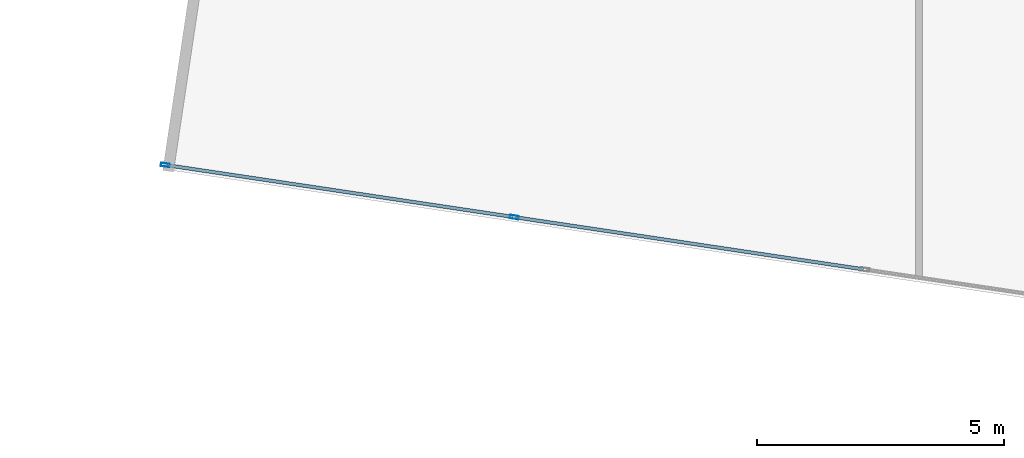
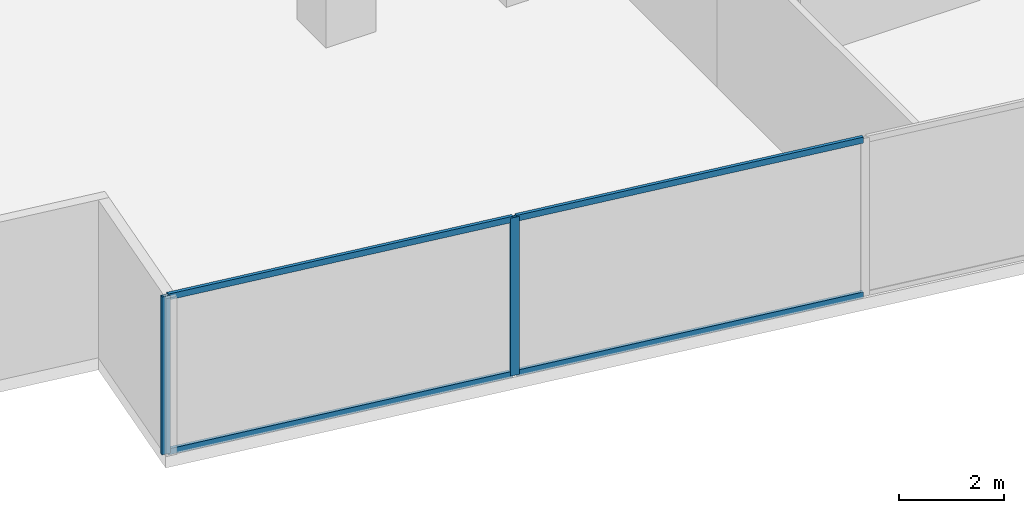
# One storey, part 2 of 29: 6 members, 1 element without a shape of its own.
"""IFC4 building model written with IfcOpenShell, lengths in metres."""

from ifc_helpers import new_model, si_unit, direction, frame, origin, origin_2d, place, context, subcontext, project, spatial, hollow_rectangle, extrude, source, transform, mapped, material, material_profile, profile_set, type_object, type_shapes, element, aggregate, save


model = new_model("IFC4")

# Units and contexts
model_context = context("Model", 3, precision=1e-05, world=origin(), true_north=direction((0.0, 1.0)))
body_context = subcontext(model_context, "Body", "Model", "MODEL_VIEW")
ifc_project = project(units=[si_unit("LENGTHUNIT", "METRE"), si_unit("AREAUNIT", "SQUARE_METRE"), si_unit("VOLUMEUNIT", "CUBIC_METRE"), si_unit("PLANEANGLEUNIT", "RADIAN"), si_unit("MASSUNIT", "GRAM", prefix="KILO")], contexts=[model_context])

# Site, building, storey
site_placement = place(None, origin())
site = spatial("IfcSite", under=ifc_project, at=site_placement, CompositionType="ELEMENT")
building_placement = place(site_placement, origin())
building = spatial("IfcBuilding", under=site, at=building_placement, Name="Krantzveldt Concourse Tower", CompositionType="ELEMENT")
storey_placement = place(building_placement, frame((0.0, 0.0, 72.39990234375)))
storey = spatial("IfcBuildingStorey", under=building, at=storey_placement, Name="L17", CompositionType="ELEMENT", Elevation=72.39990234375)

# Curtain wall, members
ifc_material = material(Name="Anodised aluminium 6063-T6", Category="aluminium")
curtain_wall_type = type_object("IfcCurtainWallType", Name="CW2", PredefinedType="USERDEFINED", material=ifc_material)
curtain_wall_placement = place(storey_placement, origin())
curtain_wall = element("IfcCurtainWall", 1, at=curtain_wall_placement, inside=storey, type_object=curtain_wall_type, Name="CW-L17-F04", ObjectType="UNITISED CURTAIN WALL", PredefinedType="USERDEFINED")
ifc_material_profile_1 = material_profile(ifc_material, hollow_rectangle(XDim=0.070068359375, YDim=0.139892578125, WallThickness=0.0048828125, at=origin_2d()), Name="Anodised aluminium 6063-T6", Category="aluminium")
ifc_profile_set_1 = profile_set([ifc_material_profile_1], Name="Anodised aluminium 6063-T6 - ALU-TRAN 140x70x5")
member_type_1 = type_object("IfcMemberType", Name="CW-TRN-150", PredefinedType="USERDEFINED", material=ifc_profile_set_1)
shared_shape_1 = source(origin(), body_context, "Body", "SweptSolid", [
    extrude(hollow_rectangle(XDim=0.070068359375, YDim=0.139892578125, WallThickness=0.0048828125, at=origin_2d()), origin(), (0.0, 0.0, 1.0), 7.0966796875),
])
member_1_placement = place(storey_placement, frame((18.1767578125, 4.177001953125, 0.03515625), z_axis=(0.989018713841, -0.14779033687, 0.0), x_axis=(0.14779033687, 0.989018713841, 0.0)))
member_1 = element("IfcMember", 2, at=member_1_placement, type_object=member_type_1, Name="CW-Z12 transom 2.1", ObjectType="TRANSOM", PredefinedType="USERDEFINED", context=body_context, shape_type="MappedRepresentation", body=[
    mapped(shared_shape_1, transform((0.0, 0.0, 0.0), x_axis=(1.0, 0.0, 0.0), y_axis=(0.0, 1.0, 0.0), z_axis=(0.0, 0.0, 1.0), scale=1.0)),
])
member_2_placement = place(storey_placement, frame((18.1767578125, 4.177001953125, 3.635009765625), z_axis=(0.989018713841, -0.14779033687, 0.0), x_axis=(0.14779033687, 0.989018713841, 0.0)))
member_2 = element("IfcMember", 3, at=member_2_placement, type_object=member_type_1, Name="CW-Z12 transom 2.2", ObjectType="TRANSOM", PredefinedType="USERDEFINED", context=body_context, shape_type="MappedRepresentation", body=[
    mapped(shared_shape_1, transform((0.0, 0.0, 0.0), x_axis=(1.0, 0.0, 0.0), y_axis=(0.0, 1.0, 0.0), z_axis=(0.0, 0.0, 1.0), scale=1.0)),
])
shared_shape_2 = source(origin(), body_context, "Body", "SweptSolid", [
    extrude(hollow_rectangle(XDim=0.070068359375, YDim=0.139892578125, WallThickness=0.0048828125, at=origin_2d()), origin(), (0.0, 0.0, 1.0), 7.061767578125),
])
type_shapes(member_type_1, [shared_shape_1, shared_shape_2])
member_3_placement = place(storey_placement, frame((11.12353515625, 5.231201171875, 0.03515625), z_axis=(0.989017605897, -0.147797751082, 0.0), x_axis=(0.147797751082, 0.989017605897, 0.0)))
member_3 = element("IfcMember", 4, at=member_3_placement, type_object=member_type_1, Name="CW-Z12 transom 1.1", ObjectType="TRANSOM", PredefinedType="USERDEFINED", context=body_context, shape_type="MappedRepresentation", body=[
    mapped(shared_shape_2, transform((0.0, 0.0, 0.0), x_axis=(1.0, 0.0, 0.0), y_axis=(0.0, 1.0, 0.0), z_axis=(0.0, 0.0, 1.0), scale=1.0)),
])
member_4_placement = place(storey_placement, frame((11.12353515625, 5.231201171875, 3.635009765625), z_axis=(0.989017605897, -0.147797751082, 0.0), x_axis=(0.147797751082, 0.989017605897, 0.0)))
member_4 = element("IfcMember", 5, at=member_4_placement, type_object=member_type_1, Name="CW-Z12 transom 1.2", ObjectType="TRANSOM", PredefinedType="USERDEFINED", context=body_context, shape_type="MappedRepresentation", body=[
    mapped(shared_shape_2, transform((0.0, 0.0, 0.0), x_axis=(1.0, 0.0, 0.0), y_axis=(0.0, 1.0, 0.0), z_axis=(0.0, 0.0, 1.0), scale=1.0)),
])
ifc_material_profile_2 = material_profile(ifc_material, hollow_rectangle(XDim=0.070068359375, YDim=0.179931640625, WallThickness=0.0048828125, at=origin_2d()), Name="Anodised aluminium 6063-T6", Category="aluminium")
ifc_profile_set_2 = profile_set([ifc_material_profile_2], Name="Anodised aluminium 6063-T6 - ALU-MULL 180x70x5")
member_type_2 = type_object("IfcMemberType", Name="CW-MUL-180", PredefinedType="MULLION", material=ifc_profile_set_2)
shared_shape_3 = source(origin(), body_context, "Body", "SweptSolid", [
    extrude(hollow_rectangle(XDim=0.070068359375, YDim=0.179931640625, WallThickness=0.0048828125, at=origin_2d()), origin(), (0.0, 0.0, 1.0), 3.670166015625),
])
type_shapes(member_type_2, [shared_shape_3])
member_5_placement = place(storey_placement, frame((11.0888671875, 5.236328125, 0.0), z_axis=(0.0, 0.0, 1.0), x_axis=(0.147809505412, 0.989015849271, 0.0)))
member_5 = element("IfcMember", 6, at=member_5_placement, type_object=member_type_2, Name="CW-Z12 mullion 1", PredefinedType="MULLION", context=body_context, shape_type="MappedRepresentation", body=[
    mapped(shared_shape_3, transform((0.0, 0.0, 0.0), x_axis=(1.0, 0.0, 0.0), y_axis=(0.0, 1.0, 0.0), z_axis=(0.0, 0.0, 1.0), scale=1.0)),
])
member_6_placement = place(storey_placement, frame((18.14208984375, 4.18212890625, 0.0), z_axis=(0.0, 0.0, 1.0), x_axis=(0.147809505412, 0.989015849271, 0.0)))
member_6 = element("IfcMember", 7, at=member_6_placement, type_object=member_type_2, Name="CW-Z12 mullion 2", PredefinedType="MULLION", context=body_context, shape_type="MappedRepresentation", body=[
    mapped(shared_shape_3, transform((0.0, 0.0, 0.0), x_axis=(1.0, 0.0, 0.0), y_axis=(0.0, 1.0, 0.0), z_axis=(0.0, 0.0, 1.0), scale=1.0)),
])
aggregate(curtain_wall, [member_5, member_6, member_3, member_4, member_1, member_2])

save(model, "model.ifc")
